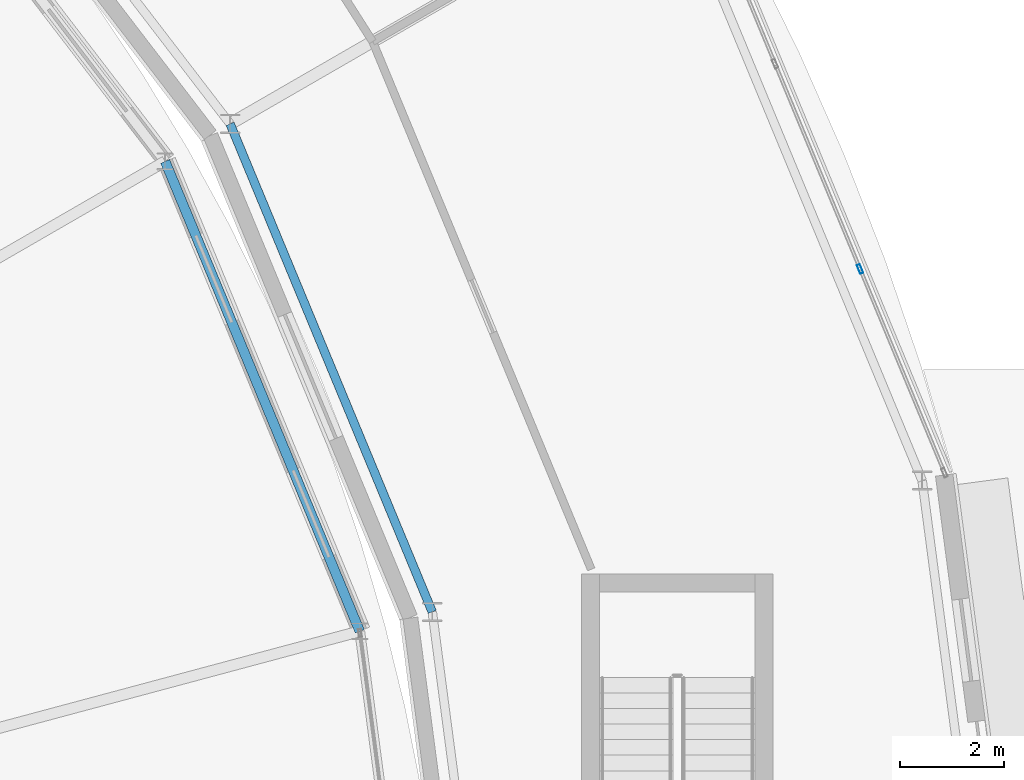
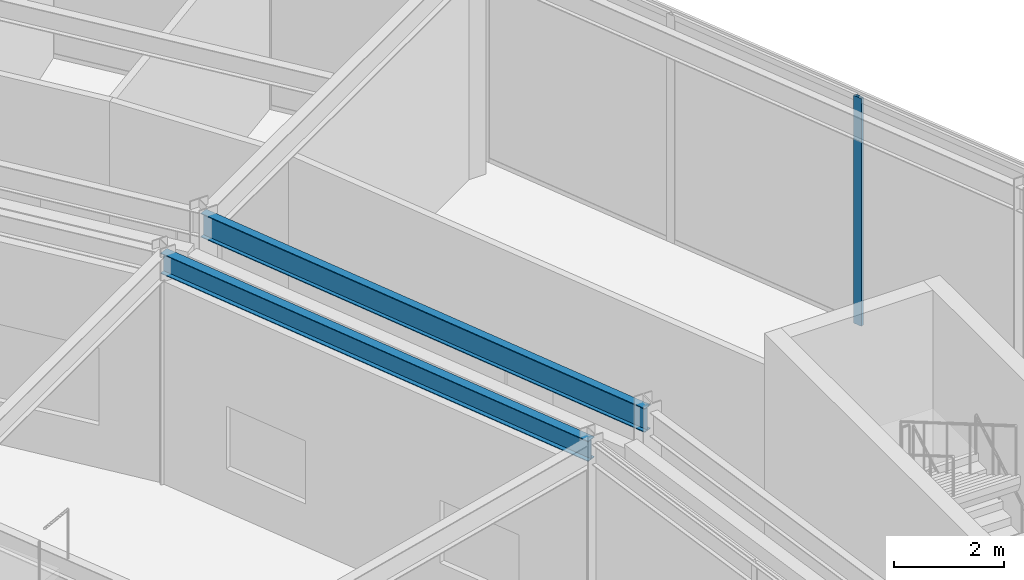
# One storey, part 85 of 168: 2 beams, 1 member, 1 element without a shape of its own.
"""IFC4 building model written with IfcOpenShell, lengths in metres."""

from ifc_helpers import new_model, si_unit, direction, frame, origin, origin_2d, place, context, subcontext, project, spatial, hollow_rectangle, i_section, extrude, material, material_profile, profile_set, type_object, element, aggregate, save


model = new_model("IFC4")

# Units and contexts
model_context = context("Model", 3, precision=1e-05, world=origin(), true_north=direction((0.0, 1.0)))
body_context = subcontext(model_context, "Body", "Model", "MODEL_VIEW")
ifc_project = project(units=[si_unit("LENGTHUNIT", "METRE"), si_unit("AREAUNIT", "SQUARE_METRE"), si_unit("VOLUMEUNIT", "CUBIC_METRE"), si_unit("PLANEANGLEUNIT", "RADIAN"), si_unit("MASSUNIT", "GRAM", prefix="KILO")], contexts=[model_context])

# Site, building, storey
site_placement = place(None, origin())
site = spatial("IfcSite", under=ifc_project, at=site_placement, CompositionType="ELEMENT")
building_placement = place(site_placement, origin())
building = spatial("IfcBuilding", under=site, at=building_placement, Name="Almandine Court Research Institute", CompositionType="ELEMENT")
storey_placement = place(building_placement, origin())
storey = spatial("IfcBuildingStorey", under=building, at=storey_placement, Name="L00", CompositionType="ELEMENT", Elevation=0.0)

# Beams
ifc_material_1 = material(Name="Steel ASTM A992 Grade 50", Category="steel")
ifc_material_profile_1 = material_profile(ifc_material_1, i_section(OverallWidth=0.18994140625, OverallDepth=0.45703125, WebThickness=0.009033203125, FlangeThickness=0.014892578125, at=origin_2d()), Name="W460x74")
ifc_profile_set_1 = profile_set([ifc_material_profile_1], Name="Steel ASTM A992 Grade 50")
beam_type_1 = type_object("IfcBeamType", Name="Beam-B-01", PredefinedType="BEAM", material=ifc_profile_set_1)
beam_1_placement = place(storey_placement, frame((123.366943359375, 65.7451171875, 4.841064453125), z_axis=(-0.382683080424, 0.92387967829, 0.0), x_axis=(-0.92387967829, -0.382683080424, 0.0)))
element("IfcBeam", 1, at=beam_1_placement, inside=storey, type_object=beam_type_1, Name="L00 Atrium Outer Ring Beam", PredefinedType="BEAM", context=body_context, shape_type="SweptSolid", body=[
    extrude(i_section(OverallWidth=0.18994140625, OverallDepth=0.45703125, WebThickness=0.009033203125, FlangeThickness=0.014892578125, at=origin_2d()), origin(), (0.0, 0.0, 1.0), 9.827880859375),
])
ifc_material_profile_2 = material_profile(ifc_material_1, i_section(OverallWidth=0.166015625, OverallDepth=0.534912109375, WebThickness=0.010009765625, FlangeThickness=0.01708984375, at=origin_2d()), Name="W530x85")
ifc_profile_set_2 = profile_set([ifc_material_profile_2], Name="Steel ASTM A992 Grade 50")
beam_type_2 = type_object("IfcBeamType", Name="Beam-G-05-E", PredefinedType="SPANDREL", material=ifc_profile_set_2)
beam_2_placement = place(storey_placement, frame((124.76806640625, 66.1201171875, 4.802978515625), z_axis=(-0.382683455912, 0.923879522758, 0.0), x_axis=(-0.923879522758, -0.382683455912, 0.0)))
element("IfcBeam", 2, at=beam_2_placement, inside=storey, type_object=beam_type_2, Name="L00 Drum IN Ring Beam 01", PredefinedType="SPANDREL", context=body_context, shape_type="SweptSolid", body=[
    extrude(i_section(OverallWidth=0.166015625, OverallDepth=0.534912109375, WebThickness=0.010009765625, FlangeThickness=0.01708984375, at=origin_2d()), origin(), (0.0, 0.0, 1.0), 10.206787109375),
])

# Curtain wall, member
ifc_material_2 = material(Name="Unitised Curtain Wall Framing and Solar Glazing", Category="glass")
curtain_wall_type = type_object("IfcCurtainWallType", Name="CW-CWJ-17", PredefinedType="USERDEFINED", material=ifc_material_2)
curtain_wall_placement = place(storey_placement, origin())
curtain_wall = element("IfcCurtainWall", 3, at=curtain_wall_placement, inside=storey, type_object=curtain_wall_type, Name="L00 Stacked-Ring Drum Outer Solar Jali Screen 01", ObjectType="SOLAR JALI SCREEN", PredefinedType="USERDEFINED")
ifc_material_3 = material(Name="Anodised Aluminium AW-6063-T6", Category="aluminium")
ifc_material_profile_3 = material_profile(ifc_material_3, hollow_rectangle(XDim=0.06494140625, YDim=0.179931640625, WallThickness=0.00390625, at=origin_2d()), Name="ALU RHS 65x180x4")
ifc_profile_set_3 = profile_set([ifc_material_profile_3], Name="Anodised Aluminium AW-6063-T6")
member_type = type_object("IfcMemberType", Name="CWMul-65x180", PredefinedType="MULLION", material=ifc_profile_set_3)
member_placement = place(storey_placement, frame((133.034423828125, 72.7451171875, 0.0), z_axis=(0.0, 0.0, 1.0), x_axis=(0.923888124321, 0.382662689242, 0.0)))
member = element("IfcMember", 4, at=member_placement, type_object=member_type, Name="CWJ-17 mullion 3", PredefinedType="MULLION", context=body_context, shape_type="SweptSolid", body=[
    extrude(hollow_rectangle(XDim=0.06494140625, YDim=0.179931640625, WallThickness=0.00390625, at=origin_2d()), origin(), (0.0, 0.0, 1.0), 5.070068359375),
])
aggregate(curtain_wall, [member])

save(model, "model.ifc")
